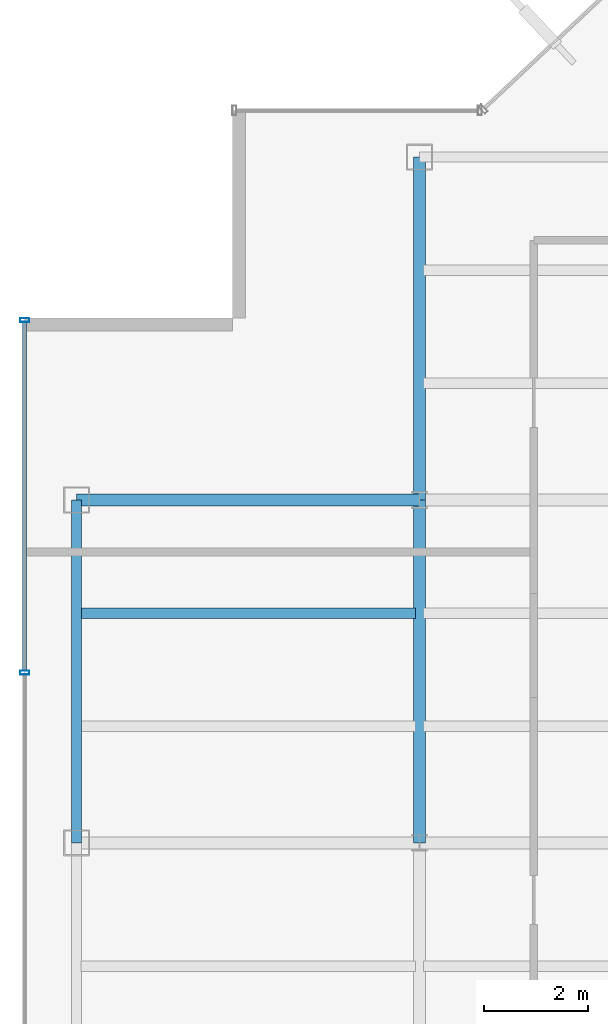
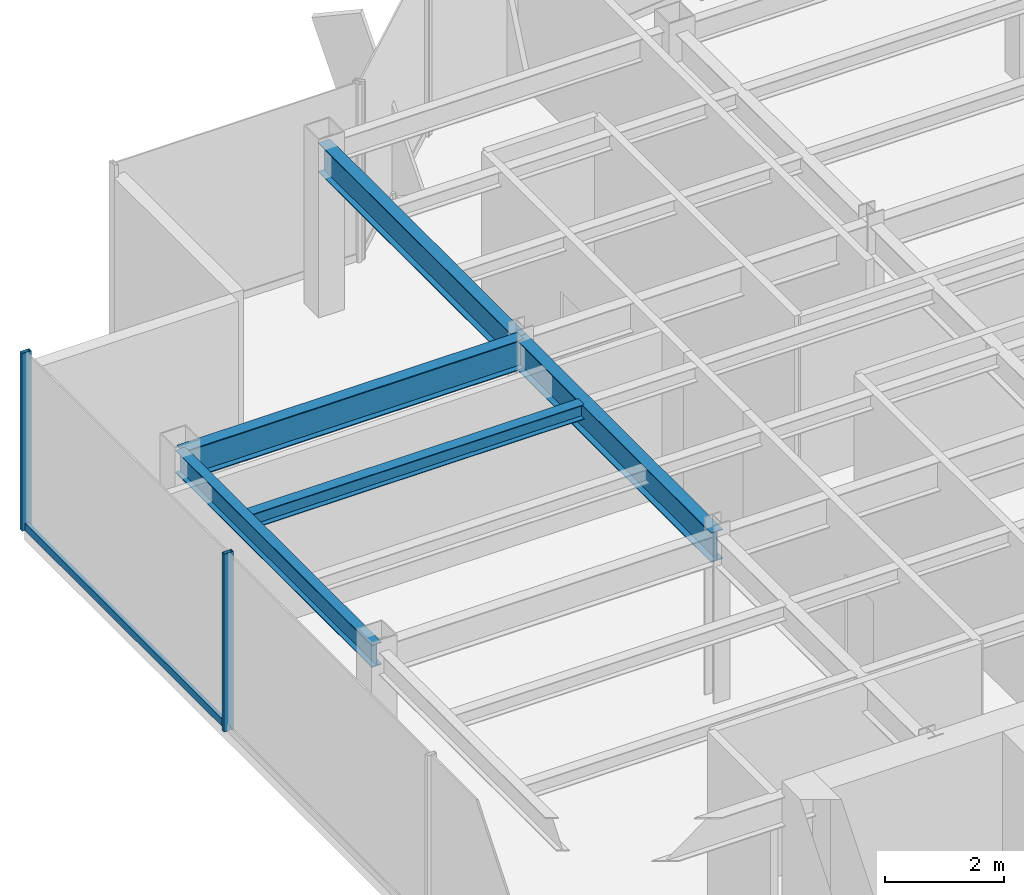
# One storey, part 7 of 22: 5 beams, 3 members, 1 element without a shape of its own.
"""IFC4 building model written with IfcOpenShell, lengths in metres."""

from ifc_helpers import new_model, si_unit, derived_unit, direction, frame, origin, origin_2d, place, context, subcontext, project, spatial, hollow_rectangle, i_section, extrude, source, transform, mapped, material, material_profile, profile_set, type_object, element, aggregate, save


model = new_model("IFC4")

# Units and contexts
model_context = context("Model", 3, precision=1e-05, world=origin(), true_north=direction((0.0, 1.0)))
body_context = subcontext(model_context, "Body", "Model", "MODEL_VIEW")
ifc_project = project(units=[si_unit("LENGTHUNIT", "METRE"), si_unit("AREAUNIT", "SQUARE_METRE"), si_unit("VOLUMEUNIT", "CUBIC_METRE"), si_unit("PLANEANGLEUNIT", "RADIAN"), si_unit("MASSUNIT", "GRAM", prefix="KILO"), derived_unit("THERMALTRANSMITTANCEUNIT", [(si_unit("POWERUNIT", "WATT"), 1), (si_unit("LENGTHUNIT", "METRE"), -2), (si_unit("THERMODYNAMICTEMPERATUREUNIT", "KELVIN"), -1)])], contexts=[model_context])

# Site, building, storey
site_placement = place(None, origin())
site = spatial("IfcSite", under=ifc_project, at=site_placement, CompositionType="ELEMENT")
building_placement = place(site_placement, origin())
building = spatial("IfcBuilding", under=site, at=building_placement, Name="Skarnbrae Concourse Arena and Tower", CompositionType="ELEMENT")
storey_placement = place(building_placement, frame((0.0, 0.0, 244.199951171875)))
storey = spatial("IfcBuildingStorey", under=building, at=storey_placement, Name="L63", CompositionType="ELEMENT", Elevation=244.199951171875)

# Beams
ifc_material_1 = material(Name="Steel CSA G40.21 350W", Category="steel")
ifc_material_profile_1 = material_profile(ifc_material_1, i_section(OverallWidth=0.22802734375, OverallDepth=0.60791015625, WebThickness=0.01123046875, FlangeThickness=0.017333984375, at=origin_2d()), Name="W610X113")
ifc_profile_set_1 = profile_set([ifc_material_profile_1], Name="Steel CSA G40.21 350W")
beam_type_1 = type_object("IfcBeamType", Name="BM-GIRD-W610X113", PredefinedType="BEAM", material=ifc_profile_set_1)
shared_shape_1 = source(origin(), body_context, "Body", "SweptSolid", [
    extrude(i_section(OverallWidth=0.22802734375, OverallDepth=0.60791015625, WebThickness=0.01123046875, FlangeThickness=0.017333984375, at=origin_2d()), origin(), (0.0, 0.0, 1.0), 6.60009765625),
])
for number, where, z_axis, x_axis, name in (
    (1, (1.0, 27.800048828125, 3.095947265625), (1.0, 0.0, 0.0), (0.0, 1.0, 0.0), "L63 Primary E-W girder Y27.8-1"),
    (2, (7.60009765625, 21.199951171875, 3.095947265625), (0.0, 1.0, 0.0), (-1.0, 0.0, 0.0), "L63 Primary N-S girder X7.6-2"),
):
    element("IfcBeam", number, at=place(storey_placement, frame(where, z_axis=z_axis, x_axis=x_axis)), inside=storey, type_object=beam_type_1, Name=name, PredefinedType="BEAM", context=body_context, shape_type="MappedRepresentation", body=[
        mapped(shared_shape_1, transform((0.0, 0.0, 0.0))),
    ])
ifc_material_profile_2 = material_profile(ifc_material_1, i_section(OverallWidth=0.19091796875, OverallDepth=0.4599609375, WebThickness=0.010009765625, FlangeThickness=0.01611328125, at=origin_2d()), Name="W460X82")
ifc_profile_set_2 = profile_set([ifc_material_profile_2], Name="Steel CSA G40.21 350W")
beam_type_2 = type_object("IfcBeamType", Name="BM-SPAN-W460X82", PredefinedType="SPANDREL", material=ifc_profile_set_2)
shared_shape_2 = source(origin(), body_context, "Body", "SweptSolid", [
    extrude(i_section(OverallWidth=0.19091796875, OverallDepth=0.4599609375, WebThickness=0.010009765625, FlangeThickness=0.01611328125, at=origin_2d()), origin(), (0.0, 0.0, 1.0), 6.60009765625),
])
beam_1_placement = place(storey_placement, frame((1.0, 21.199951171875, 3.170166015625), z_axis=(0.0, 1.0, 0.0), x_axis=(-1.0, 0.0, 0.0)))
element("IfcBeam", 3, at=beam_1_placement, inside=storey, type_object=beam_type_2, Name="L63 Perimeter spandrel X1.0-3", PredefinedType="SPANDREL", context=body_context, shape_type="MappedRepresentation", body=[
    mapped(shared_shape_2, transform((0.0, 0.0, 0.0))),
])
shared_shape_3 = source(origin(), body_context, "Body", "SweptSolid", [
    extrude(i_section(OverallWidth=0.22802734375, OverallDepth=0.60791015625, WebThickness=0.01123046875, FlangeThickness=0.017333984375, at=origin_2d()), origin(), (0.0, 0.0, 1.0), 6.599853515625),
])
beam_2_placement = place(storey_placement, frame((7.60009765625, 27.800048828125, 3.095947265625), z_axis=(0.0, 1.0, 0.0), x_axis=(-1.0, 0.0, 0.0)))
element("IfcBeam", 4, at=beam_2_placement, inside=storey, type_object=beam_type_1, Name="L63 Primary N-S girder X7.6-3", PredefinedType="BEAM", context=body_context, shape_type="MappedRepresentation", body=[
    mapped(shared_shape_3, transform((0.0, 0.0, 0.0))),
])
ifc_material_profile_3 = material_profile(ifc_material_1, i_section(OverallWidth=0.202880859375, OverallDepth=0.302978515625, WebThickness=0.007568359375, FlangeThickness=0.01318359375, at=origin_2d()), Name="W310X60")
ifc_profile_set_3 = profile_set([ifc_material_profile_3], Name="Steel CSA G40.21 350W")
beam_type_3 = type_object("IfcBeamType", Name="BM-JOIST-W310X60", PredefinedType="JOIST", material=ifc_profile_set_3)
shared_shape_4 = source(origin(), body_context, "Body", "SweptSolid", [
    extrude(i_section(OverallWidth=0.202880859375, OverallDepth=0.302978515625, WebThickness=0.007568359375, FlangeThickness=0.01318359375, at=origin_2d()), origin(), (0.0, 0.0, 1.0), 6.43994140625),
])
beam_3_placement = place(storey_placement, frame((1.080078125, 25.6220703125, 3.24853515625), z_axis=(1.0, 0.0, 0.0), x_axis=(0.0, 1.0, 0.0)))
element("IfcBeam", 5, at=beam_3_placement, inside=storey, type_object=beam_type_3, Name="L63 Secondary floor joist 2.2.1", PredefinedType="JOIST", context=body_context, shape_type="MappedRepresentation", body=[
    mapped(shared_shape_4, transform((0.0, 0.0, 0.0))),
])

# Curtain wall, members
ifc_material_2 = material(Name="Bronze anodised aluminium 6063-T6", Category="aluminium")
curtain_wall_type = type_object("IfcCurtainWallType", Name="CW-SYS-05-HIGHZONE", PredefinedType="USERDEFINED", material=ifc_material_2)
curtain_wall_placement = place(storey_placement, origin())
curtain_wall = element("IfcCurtainWall", 6, at=curtain_wall_placement, inside=storey, type_object=curtain_wall_type, Name="L63 Unitised curtain wall CW-L63-E18", ObjectType="UNITISED CURTAIN WALL", PredefinedType="USERDEFINED")
ifc_material_profile_4 = material_profile(ifc_material_2, hollow_rectangle(XDim=0.074951171875, YDim=0.14990234375, WallThickness=0.00390625, at=origin_2d()), Name="ALU-TRAN-75X150")
ifc_profile_set_4 = profile_set([ifc_material_profile_4], Name="Bronze anodised aluminium 6063-T6")
member_type_1 = type_object("IfcMemberType", Name="CWT-CW-05", PredefinedType="USERDEFINED", material=ifc_profile_set_4)
shared_shape_5 = source(origin(), body_context, "Body", "SweptSolid", [
    extrude(hollow_rectangle(XDim=0.074951171875, YDim=0.14990234375, WallThickness=0.00390625, at=origin_2d()), origin(), (0.0, 0.0, 1.0), 6.712646484375),
])
member_1_placement = place(storey_placement, frame((0.0, 31.22509765625, 0.074951171875), z_axis=(0.0, -1.0, 0.0), x_axis=(1.0, 0.0, 0.0)))
member_1 = element("IfcMember", 7, at=member_1_placement, type_object=member_type_1, Name="CW-L63-E18 Transom 1", ObjectType="TRANSOM", PredefinedType="USERDEFINED", context=body_context, shape_type="MappedRepresentation", body=[
    mapped(shared_shape_5, transform((0.0, 0.0, 0.0))),
])
ifc_material_profile_5 = material_profile(ifc_material_2, hollow_rectangle(XDim=0.074951171875, YDim=0.179931640625, WallThickness=0.00390625, at=origin_2d()), Name="ALU-MULL-75X180")
ifc_profile_set_5 = profile_set([ifc_material_profile_5], Name="Bronze anodised aluminium 6063-T6")
member_type_2 = type_object("IfcMemberType", Name="CWM-CW-05", PredefinedType="MULLION", material=ifc_profile_set_5)
shared_shape_6 = source(origin(), body_context, "Body", "SweptSolid", [
    extrude(hollow_rectangle(XDim=0.074951171875, YDim=0.179931640625, WallThickness=0.00390625, at=origin_2d()), origin(), (0.0, 0.0, 1.0), 3.650146484375),
])
member_2_placement = place(storey_placement, frame((0.0, 31.262451171875, 0.0), z_axis=(0.0, 0.0, 1.0), x_axis=(0.0, -1.0, 0.0)))
member_2 = element("IfcMember", 8, at=member_2_placement, type_object=member_type_2, Name="CW-L63-E18 Mullion 1", PredefinedType="MULLION", context=body_context, shape_type="MappedRepresentation", body=[
    mapped(shared_shape_6, transform((0.0, 0.0, 0.0))),
])
member_3_placement = place(storey_placement, frame((0.0, 24.47509765625, 0.0), z_axis=(0.0, 0.0, 1.0), x_axis=(0.0, -1.0, 0.0)))
member_3 = element("IfcMember", 9, at=member_3_placement, type_object=member_type_2, Name="CW-L63-E18 Mullion 2", PredefinedType="MULLION", context=body_context, shape_type="MappedRepresentation", body=[
    mapped(shared_shape_6, transform((0.0, 0.0, 0.0))),
])
aggregate(curtain_wall, [member_2, member_3, member_1])

save(model, "model.ifc")
